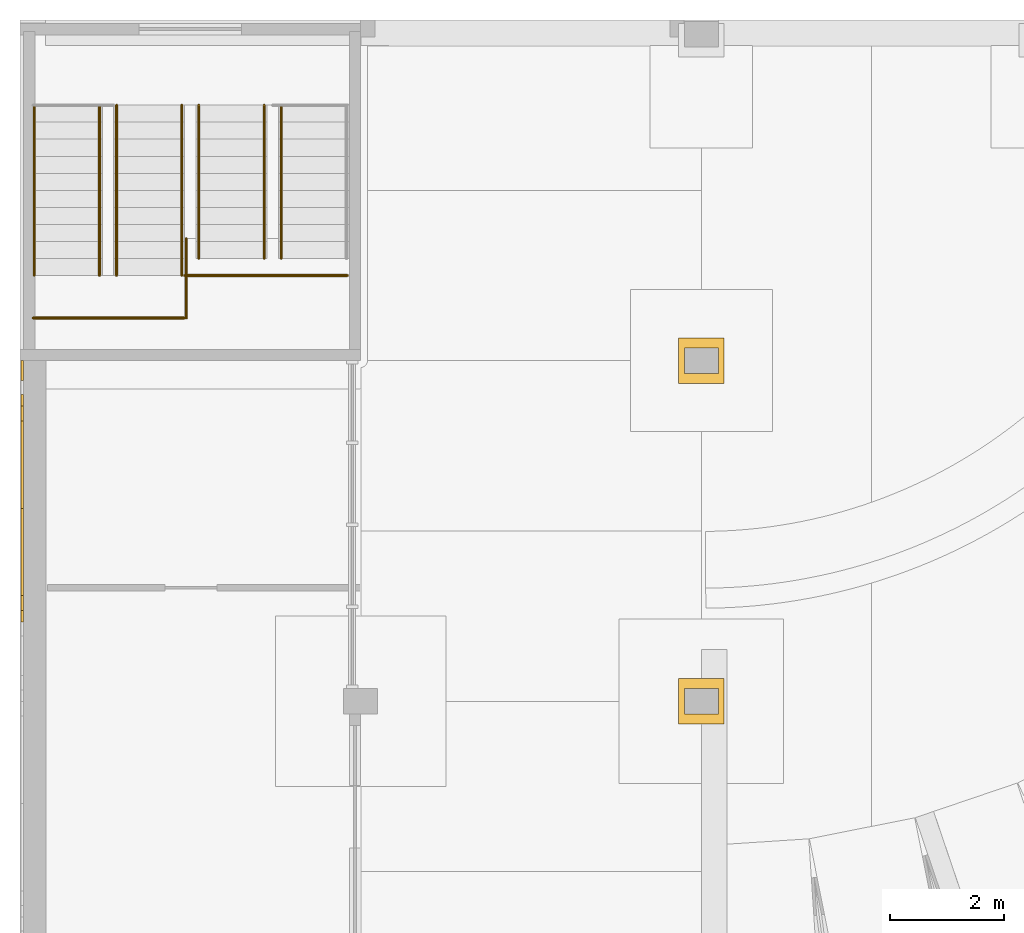
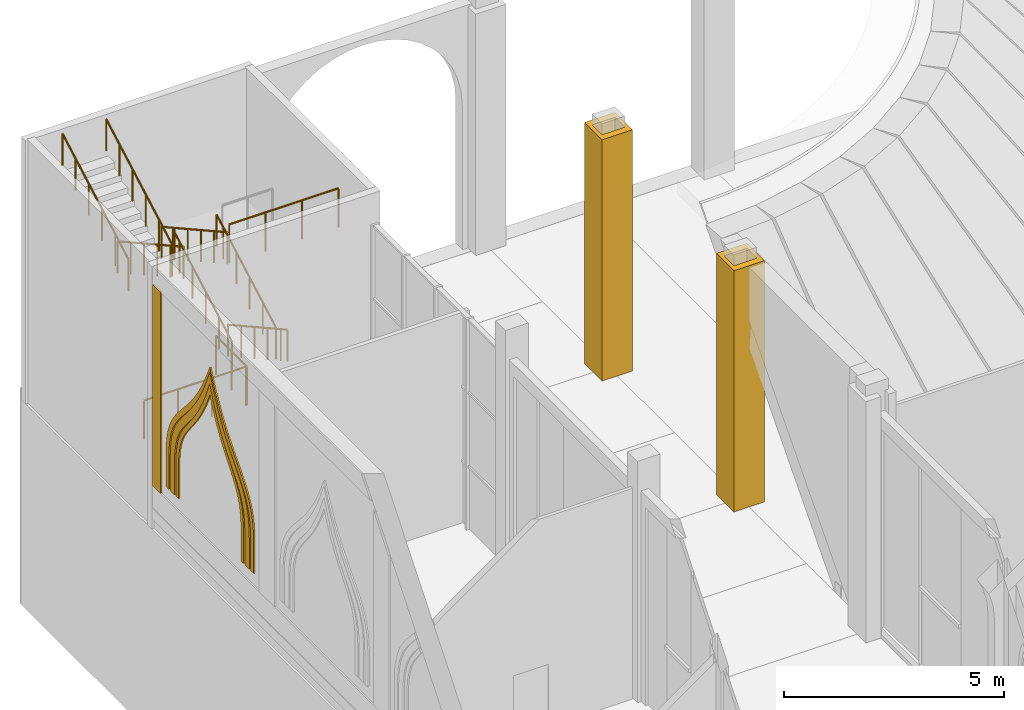
# One storey, part 85 of 95: 10 railings, 6 coverings.
"""IFC4 building model written with IfcOpenShell, lengths in metres."""

from ifc_helpers import new_model, si_unit, direction, frame, origin, origin_2d, place, context, subcontext, project, spatial, polyline, rectangle, circle, outline, extrude, material, layer, layer_set, type_object, element, save


model = new_model("IFC4")

# Units and contexts
model_context = context("Model", 3, precision=1e-05, world=origin(), true_north=direction((0.0, 1.0)))
body_context = subcontext(model_context, "Body", "Model", "MODEL_VIEW")
ifc_project = project(units=[si_unit("LENGTHUNIT", "METRE"), si_unit("AREAUNIT", "SQUARE_METRE"), si_unit("VOLUMEUNIT", "CUBIC_METRE"), si_unit("PLANEANGLEUNIT", "RADIAN"), si_unit("MASSUNIT", "GRAM", prefix="KILO")], contexts=[model_context])

# Site, building, storey
site_placement = place(None, origin())
site = spatial("IfcSite", under=ifc_project, at=site_placement, CompositionType="ELEMENT")
building_placement = place(site_placement, origin())
building = spatial("IfcBuilding", under=site, at=building_placement, Name="Saffron Lane Theatres", CompositionType="ELEMENT")
storey_placement = place(building_placement, origin())
storey = spatial("IfcBuildingStorey", under=building, at=storey_placement, Name="L00", CompositionType="ELEMENT", Elevation=0.0)

# Coverings
ifc_material_1 = material(Name="Face brick cladding, pale buff", Category="masonry")
ifc_layer_1 = layer(ifc_material_1, 0.0400390625)
ifc_layer_set_1 = layer_set([ifc_layer_1], Name="Face brick cladding, pale buff")
covering_type_1 = type_object("IfcCoveringType", Name="EX-FACE BRICK SKIN PALE BUFF 40", PredefinedType="CLADDING", material=ifc_layer_set_1)
covering_1_placement = place(storey_placement, frame((0.0400390625, 119.824951171875, 0.89990234375), z_axis=(0.0, 0.0, 1.0), x_axis=(0.0, 1.0, 0.0)))
element("IfcCovering", 1, at=covering_1_placement, inside=storey, type_object=covering_type_1, Name="Face brick cladding, pale buff L00", PredefinedType="CLADDING", context=body_context, shape_type="SweptSolid", body=[
    extrude(rectangle(XDim=0.35009765625, YDim=0.0400390625, at=origin_2d()), origin(), (0.0, 0.0, 1.0), 5.60009765625),
])
ifc_material_2 = material(Name="Face brick cladding, pale buff", Category="masonry")
ifc_layer_2 = layer(ifc_material_2, 0.0400390625)
ifc_layer_set_2 = layer_set([ifc_layer_2], Name="Face brick cladding, pale buff")
covering_type_2 = type_object("IfcCoveringType", Name="EX-NICHE FRAME RING FACE BRICK PALE BUFF", PredefinedType="CLADDING", material=ifc_layer_set_2)
covering_2_placement = place(storey_placement, frame((0.06005859375, 115.8701171875, 2.39306640625), z_axis=(1.0, 0.0, 0.0), x_axis=(0.0, -0.04129538936, -0.999146981589)))
element("IfcCovering", 2, at=covering_2_placement, inside=storey, type_object=covering_type_2, Name="Court wall niche ring", PredefinedType="CLADDING", context=body_context, shape_type="SweptSolid", body=[
    extrude(outline(polyline([(0.0, 0.0), (0.24239426677237527, 0.0), (1.1425047067288998, 0.03720214519981603), (1.1375545025844256, 0.15697293815880073), (0.23939552157631633, 0.11985144801632847), (0.005091350494825771, 0.11920842065366392), (-0.1986851272816112, 0.1366872076385811), (-0.37824590768884014, 0.17129388292905712), (-0.5396086448833148, 0.2208249405224773), (-0.6873475625745137, 0.28362523044633886), (-0.8265650767376905, 0.3589951684380106), (-0.9630651548072515, 0.4454731274827016), (-1.1002628499429232, 0.5429179612300603), (-1.244867285878143, 0.6481201885567607), (-1.3995113092561424, 0.7597492469161954), (-1.569490859009887, 0.8758758083208059), (-1.7584548387854875, 0.9961047121695207), (-1.9728785218299982, 1.1174804915897334), (-2.215872537641585, 1.238408487901949), (-2.4920111099297273, 1.357233551133665), (-2.668858634535946, 1.4207855560279532), (-2.497909010997991, 1.4999339867365287), (-2.2324773975722345, 1.6401650989069345), (-2.0002911594447137, 1.7807326016823595), (-1.796614762791261, 1.9193887271384757), (-1.6182165955276948, 2.0548009455321563), (-1.4583995829992658, 2.1845582116278646), (-1.3135349853241993, 2.3095435507637765), (-1.1780647346331616, 2.425344049345101), (-1.0493761480472583, 2.533778134655549), (-0.9204778091323481, 2.6312251814989933), (-0.7879445828465366, 2.7175824038572336), (-0.6459019285802418, 2.7926039021651974), (-0.48916677530086616, 2.855037801737101), (-0.3130741623594195, 2.90434386122848), (-0.11144512548476054, 2.9388226687451184), (0.12211298631630009, 2.957516691380624), (1.0202719673244094, 2.994638181523096), (1.0153217631799352, 3.1144089744820804), (0.11521132322341071, 3.0772068292822645), (-0.12639655673986275, 3.058180104535216), (-0.33893197702418154, 3.021540085741156), (-0.5280658733992474, 2.9685184838215317), (-0.6963484702544269, 2.901697736008735), (-0.8481907139879902, 2.8213842331608463), (-0.989527636502527, 2.729287469054249), (-1.1233872450423394, 2.6277257847884465), (-1.2558980944677296, 2.517178930414896), (-1.391328017630095, 2.400402702359364), (-1.5352975408882978, 2.277409149700539), (-1.692227692522776, 2.148748595665054), (-1.8668439244755273, 2.0164248758086845), (-2.0653252010176937, 1.8821374020256454), (-2.2920219772545365, 1.7447289709627067), (-2.551446018406007, 1.6069452971634672), (-2.9825556604936945, 1.4078202555599415), (-2.5364945871509046, 1.2451935946009942), (-2.2665853885447436, 1.129287605106254), (-2.029322799795866, 1.0110549139267975), (-1.820426938974185, 0.8933602509957198), (-1.6354868596814305, 0.7758972254549403), (-1.4685252352898204, 0.6618450727812814), (-1.3148569413860287, 0.5501756868931746), (-1.170252505450809, 0.44497345956647427), (-1.029071237360963, 0.3457384769853879), (-0.8872872694371247, 0.2555693195693939), (-0.7388325381119998, 0.17544983147834714), (-0.5808806737846456, 0.10794031898378244), (-0.40764787278499187, 0.05499027383759442), (-0.2147937618899445, 0.018000831761566083), (0.0, 0.0)])), origin(), (0.0, 0.0, -1.0), 0.0400390625),
])
covering_3_placement = place(storey_placement, frame((0.06005859375, 115.611083984375, 2.4140625), z_axis=(1.0, 0.0, 0.0), x_axis=(0.0, -0.041901657311, -0.999121739887)))
element("IfcCovering", 3, at=covering_3_placement, inside=storey, type_object=covering_type_2, Name="Court wall niche ring", PredefinedType="CLADDING", context=body_context, shape_type="SweptSolid", body=[
    extrude(outline(polyline([(0.0, 0.0), (0.2621931644232471, 0.0), (1.1635004956932669, 0.0377994686925917), (1.1551222102103893, 0.2375750314287612), (0.25796162444282966, 0.19994947098184584), (0.0097131733503435, 0.19955687027559352), (-0.20546838664234832, 0.220588174119385), (-0.3942800006455453, 0.2595859047243426), (-0.5625452079134837, 0.3155727659490775), (-0.7187195864826749, 0.3862393017572159), (-0.8655067844130255, 0.47196083569596253), (-1.0106101413293573, 0.569970749007303), (-1.158461248527375, 0.6810606083728648), (-1.3125757805422222, 0.8016619984562016), (-1.4792651290401886, 0.9307771633223154), (-1.6630820527613535, 1.0662603252837044), (-1.869056932961044, 1.2057013206532305), (-2.1002380515559587, 1.346040046300111), (-2.3631807264184146, 1.4862685163925429), (-2.662417256494882, 1.6237531008309705), (-2.7883895697316157, 1.6734499395071842), (-2.667030939953707, 1.7337638197491785), (-2.380356723153154, 1.8958206163119917), (-2.130078660534657, 2.057572789281071), (-1.9115007748028743, 2.2177511494595397), (-1.717883609943008, 2.3729730109707132), (-1.546056125276706, 2.523371362473049), (-1.3907628818189417, 2.66598999112109), (-1.2472874424807645, 2.799071855305905), (-1.109246806318253, 2.9219072275203026), (-0.9728593214793468, 3.0317224417440243), (-0.8337752358427775, 3.129677340943661), (-0.6840661520540241, 3.2131721673446303), (-0.5210795715372027, 3.283051228429863), (-0.33619623790693, 3.3377211609392994), (-0.1235312325281428, 3.376695703778167), (0.12387836702637517, 3.397090253378639), (1.0210389527939348, 3.4347158138255542), (1.0126606673110572, 3.634491376561724), (0.11135333604103745, 3.5966919078691326), (-0.14991913766980552, 3.574738549326696), (-0.3822603265623494, 3.5329839751984484), (-0.588841271314946, 3.4712951968259307), (-0.7727527647487922, 3.393452274743922), (-0.9401031919113689, 3.299443387738338), (-1.0936882699338235, 3.191839195210626), (-1.238763437801183, 3.0735959100062447), (-1.381559839322582, 2.947628825383432), (-1.5261730705164585, 2.8125444020663783), (-1.6793528172944152, 2.6719692521377945), (-1.8465063757762656, 2.5266540226920897), (-2.0332235889070236, 2.3758755736907067), (-2.24306264212633, 2.222905653462762), (-2.4837984843366385, 2.066685126692431), (-2.7604733180073624, 1.9109122147400561), (-3.28404762037862, 1.65266278920046), (-2.7407398470715005, 1.44037856331384), (-2.4519528155842605, 1.3073428473301651), (-2.198982016795781, 1.1718276316921221), (-1.9770716853471761, 1.0369646288081253), (-1.7784161826455782, 0.9030811953759186), (-1.5996516912906313, 0.7715401809808999), (-1.4352395178213442, 0.6442843566917622), (-1.279823515601926, 0.5217827064442314), (-1.1269711255217127, 0.40797033054243453), (-0.9725151422846359, 0.302533284819994), (-0.8104597097080632, 0.20816657875729266), (-0.6358255960206893, 0.1285000070716038), (-0.4460421418210658, 0.06632928689407458), (-0.23502142185532032, 0.02215409185084432), (0.0, 0.0)])), origin(), (0.0, 0.0, -1.0), 0.0400390625),
])
covering_4_placement = place(storey_placement, frame((0.06005859375, 115.412109375, 2.429931640625), z_axis=(1.0, 0.0, 0.0), x_axis=(0.0, -0.043894383878, -0.999036177055)))
element("IfcCovering", 4, at=covering_4_placement, inside=storey, type_object=covering_type_2, Name="Court wall niche ring", PredefinedType="CLADDING", context=body_context, shape_type="SweptSolid", body=[
    extrude(outline(polyline([(0.0, 0.0), (0.27810007047902646, 1.734723475976807e-18), (1.1793302155515348, 0.03959710654975873), (1.1731790006233722, 0.1795987583147438), (0.2760952459341472, 0.1401838306043209), (0.006786483257329147, 0.1403257157709566), (-0.22641314749484934, 0.1640479725890372), (-0.4326863171370994, 0.20899213523732574), (-0.6175999823434313, 0.27393610519594813), (-0.7874099501285915, 0.3566500134714338), (-0.9488491217383396, 0.45463865294902084), (-1.106074603958273, 0.5679637501060368), (-1.2658621636434073, 0.695105719094375), (-1.4319321070210258, 0.8317467070937297), (-1.611623026395669, 0.9780530326680121), (-1.8075214326298126, 1.1317116675417964), (-2.0274940223340248, 1.2882225800554408), (-2.2747115646249334, 1.4474464569788652), (-2.5551002299821106, 1.605212903187603), (-2.8742805570911356, 1.7615193467450987), (-3.097532365903392, 1.8536152509183335), (-2.8832287530232192, 1.9651802861593193), (-2.5789870907397323, 2.1488778540310727), (-2.3135156574034657, 2.330627608618257), (-2.0812153471334676, 2.5109199324907547), (-1.8758170645761219, 2.6861202506397928), (-1.6941500406148007, 2.8563678762954514), (-1.5279725045579506, 3.0176261550341414), (-1.3745371995083877, 3.1685495353813327), (-1.2265162495638857, 3.309215604089778), (-1.0798357072208025, 3.435893338529879), (-0.9276126416009848, 3.5476632713831058), (-0.7657006623211486, 3.6447075814887944), (-0.5871954056985125, 3.7256189908950867), (-0.3856696022813079, 3.7887248835288343), (-0.15544913137238597, 3.8328083047432724), (0.11280942387767254, 3.856569140609683), (1.0098931785668974, 3.895984068320106), (1.0037526800410486, 4.035741814768427), (0.10252253496854011, 3.9961447082186683), (-0.17451661168141294, 3.9719980818689584), (-0.4197306153957201, 3.9243233799110953), (-0.6369388019590456, 3.8566184360603266), (-0.8303089945593006, 3.7691888821106447), (-1.0058020848195537, 3.664216577573153), (-1.1667388714888274, 3.5449768836510644), (-1.320278339968881, 3.413110267210586), (-1.4720731781522367, 3.2693458722651543), (-1.6264412388591991, 3.117404005042052), (-1.7907103979919947, 2.9572070787885285), (-1.969388831676023, 2.7912451567462337), (-2.1690619834612055, 2.6192288960526935), (-2.3957228941775512, 2.4440718721690033), (-2.655024251717583, 2.2665032291086), (-2.951643122707166, 2.0872949764941735), (-3.4270484487161013, 1.839137391392292), (-2.931721330805677, 1.6338749928162861), (-2.6205281526692272, 1.4813720147680303), (-2.3466524879823294, 1.3272294271657514), (-2.105503001337628, 1.172626462920069), (-1.891512736061112, 1.0187852205508565), (-1.6989672777829326, 0.8691336628302754), (-1.5212704665508547, 0.7237172273041369), (-1.3541713198950118, 0.585899578330719), (-1.190395543924747, 0.4569778292460929), (-1.0258396138660324, 0.3381097801562494), (-0.8550758862749375, 0.2336882986976911), (-0.6710525397728421, 0.14451197117084771), (-0.4707595512778254, 0.07437869055575572), (-0.24845035721309666, 0.02598470367458538), (0.0, 0.0)])), origin(), (0.0, 0.0, -1.0), 0.0400390625),
])
ifc_material_3 = material(Name="Face brick cladding, pale buff", Category="masonry")
ifc_layer_3 = layer(ifc_material_3, 0.10009765625)
ifc_layer_set_3 = layer_set([ifc_layer_3], Name="Face brick cladding, pale buff")
covering_type_3 = type_object("IfcCoveringType", Name="EX-PIER CASING FACE BRICK PALE BUFF 800", PredefinedType="CLADDING", material=ifc_layer_set_3)
covering_5_placement = place(storey_placement, origin())
element("IfcCovering", 5, at=covering_5_placement, inside=storey, type_object=covering_type_3, Name="Pier casing L00 5", PredefinedType="CLADDING", context=body_context, shape_type="SweptSolid", body=[
    extrude(outline(polyline([(12.39990234375, 114.39990234375), (11.60009765625, 114.39990234375), (11.60009765625, 113.60009765625), (12.39990234375, 113.60009765625), (12.39990234375, 114.39990234375)]), holes=[polyline([(11.699951171875, 114.22509765625), (12.300048828125, 114.22509765625), (12.300048828125, 113.77490234375), (11.699951171875, 113.77490234375), (11.699951171875, 114.22509765625)])]), origin(), (0.0, 0.0, 1.0), 6.699951171875),
])
covering_6_placement = place(storey_placement, origin())
element("IfcCovering", 6, at=covering_6_placement, inside=storey, type_object=covering_type_3, Name="Pier casing L00 11", PredefinedType="CLADDING", context=body_context, shape_type="SweptSolid", body=[
    extrude(outline(polyline([(12.39990234375, 120.39990234375), (11.60009765625, 120.39990234375), (11.60009765625, 119.60009765625), (12.39990234375, 119.60009765625), (12.39990234375, 120.39990234375)]), holes=[polyline([(11.699951171875, 120.22509765625), (12.300048828125, 120.22509765625), (12.300048828125, 119.77490234375), (11.699951171875, 119.77490234375), (11.699951171875, 120.22509765625)])]), origin(), (0.0, 0.0, 1.0), 6.699951171875),
])

# Railings
ifc_material_4 = material(Name="Steel Grade 350", Category="steel")
railing_type_1 = type_object("IfcRailingType", Name="VC-GUARD 1100", PredefinedType="GUARDRAIL", material=ifc_material_4)
railing_1_placement = place(storey_placement, frame((2.89990234375, 120.75, 1.666748046875)))
element("IfcRailing", 7, at=railing_1_placement, inside=storey, type_object=railing_type_1, Name="West Wing Street Stair landing guard 1N1s", PredefinedType="GUARDRAIL", context=body_context, shape_type="SweptSolid", body=[
    extrude(circle(Radius=0.02392578125, at=origin_2d()), frame((0.0, 0.0, 1.076171875), z_axis=(-1.0, 0.0, 0.0), x_axis=(0.0, -1.0, 0.0)), (0.0, 0.0, 1.0), 2.669921875),
    extrude(circle(Radius=0.02099609375, at=origin_2d()), origin(), (0.0, 0.0, 1.0), 1.052001953125),
    extrude(circle(Radius=0.02099609375, at=origin_2d()), frame((-0.889892578125, 0.0, 0.0)), (0.0, 0.0, 1.0), 1.052001953125),
    extrude(circle(Radius=0.02099609375, at=origin_2d()), frame((-1.780029296875, 0.0, 0.0)), (0.0, 0.0, 1.0), 1.052001953125),
    extrude(circle(Radius=0.02099609375, at=origin_2d()), frame((-2.669921875, 0.0, 0.0)), (0.0, 0.0, 1.0), 1.052001953125),
])
railing_2_placement = place(storey_placement, frame((2.929931640625, 122.14990234375, 1.666748046875)))
element("IfcRailing", 8, at=railing_2_placement, inside=storey, type_object=railing_type_1, Name="West Wing Street Stair landing guard 1N1e", PredefinedType="GUARDRAIL", context=body_context, shape_type="SweptSolid", body=[
    extrude(circle(Radius=0.02392578125, at=origin_2d()), frame((0.0, 0.0, 1.076171875), z_axis=(0.0, -1.0, 0.0), x_axis=(1.0, 0.0, 0.0)), (0.0, 0.0, 1.0), 1.39990234375),
    extrude(circle(Radius=0.02099609375, at=origin_2d()), origin(), (0.0, 0.0, 1.0), 1.052001953125),
    extrude(circle(Radius=0.02099609375, at=origin_2d()), frame((0.0, -0.699951171875, 0.0)), (0.0, 0.0, 1.0), 1.052001953125),
    extrude(circle(Radius=0.02099609375, at=origin_2d()), frame((0.0, -1.39990234375, 0.0)), (0.0, 0.0, 1.0), 1.052001953125),
])
railing_3_placement = place(storey_placement, frame((5.77001953125, 121.5, 5.166748046875)))
element("IfcRailing", 9, at=railing_3_placement, inside=storey, type_object=railing_type_1, Name="West Wing Street Stair landing guard 1N2s", PredefinedType="GUARDRAIL", context=body_context, shape_type="SweptSolid", body=[
    extrude(circle(Radius=0.02392578125, at=origin_2d()), frame((0.0, 0.0, 1.076171875), z_axis=(-1.0, 0.0, 0.0), x_axis=(0.0, -1.0, 0.0)), (0.0, 0.0, 1.0), 2.8701171875),
    extrude(circle(Radius=0.02099609375, at=origin_2d()), origin(), (0.0, 0.0, 1.0), 1.052001953125),
    extrude(circle(Radius=0.02099609375, at=origin_2d()), frame((-0.956787109375, 0.0, 0.0)), (0.0, 0.0, 1.0), 1.052001953125),
    extrude(circle(Radius=0.02099609375, at=origin_2d()), frame((-1.913330078125, 0.0, 0.0)), (0.0, 0.0, 1.0), 1.052001953125),
    extrude(circle(Radius=0.02099609375, at=origin_2d()), frame((-2.8701171875, 0.0, 0.0)), (0.0, 0.0, 1.0), 1.052001953125),
])
ifc_material_5 = material(Name="Steel Grade 350", Category="steel")
railing_type_2 = type_object("IfcRailingType", Name="VC-HANDRAIL 900", PredefinedType="HANDRAIL", material=ifc_material_5)
railing_4_placement = place(storey_placement, frame((4.60009765625, 124.5, 0.166748046875)))
element("IfcRailing", 10, at=railing_4_placement, inside=storey, type_object=railing_type_2, Name="West Wing Street Stair handrail 1.1b", PredefinedType="HANDRAIL", context=body_context, shape_type="SweptSolid", body=[
    extrude(circle(Radius=0.02392578125, at=origin_2d()), frame((0.0, 0.0, 0.8759765625), z_axis=(0.0, -0.874241147926, 0.485491931212), x_axis=(1.0, 0.0, 0.0)), (0.0, 0.0, 1.0), 0.6865234375),
    extrude(circle(Radius=0.02392578125, at=origin_2d()), frame((0.0, -0.60009765625, 1.208984375), z_axis=(0.0, -0.874157276122, 0.485642931179), x_axis=(1.0, 0.0, 0.0)), (0.0, 0.0, 1.0), 0.686279296875),
    extrude(circle(Radius=0.02392578125, at=origin_2d()), frame((0.0, -1.199951171875, 1.54248046875), z_axis=(0.0, -0.874090171491, 0.485763699861), x_axis=(1.0, 0.0, 0.0)), (0.0, 0.0, 1.0), 0.6865234375),
    extrude(circle(Radius=0.02392578125, at=origin_2d()), frame((0.0, -1.800048828125, 1.8759765625), z_axis=(0.0, -0.874157276122, 0.485642931179), x_axis=(1.0, 0.0, 0.0)), (0.0, 0.0, 1.0), 0.686279296875),
    extrude(circle(Radius=0.02392578125, at=origin_2d()), frame((0.0, -2.39990234375, 2.208984375), z_axis=(0.0, -0.874090171491, 0.485763699861), x_axis=(1.0, 0.0, 0.0)), (0.0, 0.0, 1.0), 0.34326171875),
    extrude(circle(Radius=0.02099609375, at=origin_2d()), origin(), (0.0, 0.0, 1.0), 0.851806640625),
    extrude(circle(Radius=0.02099609375, at=origin_2d()), frame((0.0, -0.60009765625, 0.333251953125)), (0.0, 0.0, 1.0), 0.851806640625),
    extrude(circle(Radius=0.02099609375, at=origin_2d()), frame((0.0, -1.199951171875, 0.66650390625)), (0.0, 0.0, 1.0), 0.851806640625),
    extrude(circle(Radius=0.02099609375, at=origin_2d()), frame((0.0, -1.800048828125, 1.0)), (0.0, 0.0, 1.0), 0.851806640625),
    extrude(circle(Radius=0.02099609375, at=origin_2d()), frame((0.0, -2.39990234375, 1.333251953125)), (0.0, 0.0, 1.0), 0.851806640625),
    extrude(circle(Radius=0.02099609375, at=origin_2d()), frame((0.0, -2.699951171875, 1.5)), (0.0, 0.0, 1.0), 0.851806640625),
])
railing_5_placement = place(storey_placement, frame((4.300048828125, 121.800048828125, 1.833251953125)))
element("IfcRailing", 11, at=railing_5_placement, inside=storey, type_object=railing_type_2, Name="West Wing Street Stair handrail 1.2a", PredefinedType="HANDRAIL", context=body_context, shape_type="SweptSolid", body=[
    extrude(circle(Radius=0.02392578125, at=origin_2d()), frame((0.0, 0.0, 0.8759765625), z_axis=(0.0, 0.874006220275, 0.485914732151), x_axis=(-1.0, 0.0, 0.0)), (0.0, 0.0, 1.0), 0.686279296875),
    extrude(circle(Radius=0.02392578125, at=origin_2d()), frame((0.0, 0.599853515625, 1.20947265625), z_axis=(0.0, 0.874241147926, 0.485491931212), x_axis=(-1.0, 0.0, 0.0)), (0.0, 0.0, 1.0), 0.6865234375),
    extrude(circle(Radius=0.02392578125, at=origin_2d()), frame((0.0, 1.199951171875, 1.54248046875), z_axis=(0.0, 0.874241147926, 0.485491931212), x_axis=(-1.0, 0.0, 0.0)), (0.0, 0.0, 1.0), 0.6865234375),
    extrude(circle(Radius=0.02392578125, at=origin_2d()), frame((0.0, 1.800048828125, 1.8759765625), z_axis=(0.0, 0.874006220275, 0.485914732151), x_axis=(-1.0, 0.0, 0.0)), (0.0, 0.0, 1.0), 0.686279296875),
    extrude(circle(Radius=0.02392578125, at=origin_2d()), frame((0.0, 2.39990234375, 2.20947265625), z_axis=(0.0, 0.87439209197, 0.485220021744), x_axis=(-1.0, 0.0, 0.0)), (0.0, 0.0, 1.0), 0.34326171875),
    extrude(circle(Radius=0.02099609375, at=origin_2d()), origin(), (0.0, 0.0, 1.0), 0.851806640625),
    extrude(circle(Radius=0.02099609375, at=origin_2d()), frame((0.0, 0.599853515625, 0.33349609375)), (0.0, 0.0, 1.0), 0.851806640625),
    extrude(circle(Radius=0.02099609375, at=origin_2d()), frame((0.0, 1.199951171875, 0.666748046875)), (0.0, 0.0, 1.0), 0.851806640625),
    extrude(circle(Radius=0.02099609375, at=origin_2d()), frame((0.0, 1.800048828125, 1.0)), (0.0, 0.0, 1.0), 0.851806640625),
    extrude(circle(Radius=0.02099609375, at=origin_2d()), frame((0.0, 2.39990234375, 1.33349609375)), (0.0, 0.0, 1.0), 0.851806640625),
    extrude(circle(Radius=0.02099609375, at=origin_2d()), frame((0.0, 2.699951171875, 1.5)), (0.0, 0.0, 1.0), 0.851806640625),
])
railing_6_placement = place(storey_placement, frame((3.14990234375, 121.800048828125, 1.833251953125)))
element("IfcRailing", 12, at=railing_6_placement, inside=storey, type_object=railing_type_2, Name="West Wing Street Stair handrail 1.2b", PredefinedType="HANDRAIL", context=body_context, shape_type="SweptSolid", body=[
    extrude(circle(Radius=0.02392578125, at=origin_2d()), frame((0.0, 0.0, 0.8759765625), z_axis=(0.0, 0.874006220275, 0.485914732151), x_axis=(-1.0, 0.0, 0.0)), (0.0, 0.0, 1.0), 0.686279296875),
    extrude(circle(Radius=0.02392578125, at=origin_2d()), frame((0.0, 0.599853515625, 1.20947265625), z_axis=(0.0, 0.874241147926, 0.485491931212), x_axis=(-1.0, 0.0, 0.0)), (0.0, 0.0, 1.0), 0.6865234375),
    extrude(circle(Radius=0.02392578125, at=origin_2d()), frame((0.0, 1.199951171875, 1.54248046875), z_axis=(0.0, 0.874241147926, 0.485491931212), x_axis=(-1.0, 0.0, 0.0)), (0.0, 0.0, 1.0), 0.6865234375),
    extrude(circle(Radius=0.02392578125, at=origin_2d()), frame((0.0, 1.800048828125, 1.8759765625), z_axis=(0.0, 0.874006220275, 0.485914732151), x_axis=(-1.0, 0.0, 0.0)), (0.0, 0.0, 1.0), 0.686279296875),
    extrude(circle(Radius=0.02392578125, at=origin_2d()), frame((0.0, 2.39990234375, 2.20947265625), z_axis=(0.0, 0.87439209197, 0.485220021744), x_axis=(-1.0, 0.0, 0.0)), (0.0, 0.0, 1.0), 0.34326171875),
    extrude(circle(Radius=0.02099609375, at=origin_2d()), origin(), (0.0, 0.0, 1.0), 0.851806640625),
    extrude(circle(Radius=0.02099609375, at=origin_2d()), frame((0.0, 0.599853515625, 0.33349609375)), (0.0, 0.0, 1.0), 0.851806640625),
    extrude(circle(Radius=0.02099609375, at=origin_2d()), frame((0.0, 1.199951171875, 0.666748046875)), (0.0, 0.0, 1.0), 0.851806640625),
    extrude(circle(Radius=0.02099609375, at=origin_2d()), frame((0.0, 1.800048828125, 1.0)), (0.0, 0.0, 1.0), 0.851806640625),
    extrude(circle(Radius=0.02099609375, at=origin_2d()), frame((0.0, 2.39990234375, 1.33349609375)), (0.0, 0.0, 1.0), 0.851806640625),
    extrude(circle(Radius=0.02099609375, at=origin_2d()), frame((0.0, 2.699951171875, 1.5)), (0.0, 0.0, 1.0), 0.851806640625),
])
railing_7_placement = place(storey_placement, frame((2.85009765625, 124.5, 3.5)))
element("IfcRailing", 13, at=railing_7_placement, inside=storey, type_object=railing_type_2, Name="West Wing Street Stair handrail 1.3a", PredefinedType="HANDRAIL", context=body_context, shape_type="SweptSolid", body=[
    extrude(circle(Radius=0.02392578125, at=origin_2d()), frame((0.0, 0.0, 0.8759765625), z_axis=(0.0, -0.874241147926, 0.485491931212), x_axis=(1.0, 0.0, 0.0)), (0.0, 0.0, 1.0), 0.6865234375),
    extrude(circle(Radius=0.02392578125, at=origin_2d()), frame((0.0, -0.60009765625, 1.208984375), z_axis=(0.0, -0.874006220275, 0.485914732151), x_axis=(1.0, 0.0, 0.0)), (0.0, 0.0, 1.0), 0.686279296875),
    extrude(circle(Radius=0.02392578125, at=origin_2d()), frame((0.0, -1.199951171875, 1.54248046875), z_axis=(0.0, -0.874241147926, 0.485491931212), x_axis=(1.0, 0.0, 0.0)), (0.0, 0.0, 1.0), 0.6865234375),
    extrude(circle(Radius=0.02392578125, at=origin_2d()), frame((0.0, -1.800048828125, 1.8759765625), z_axis=(0.0, -0.874157276122, 0.485642931179), x_axis=(1.0, 0.0, 0.0)), (0.0, 0.0, 1.0), 0.686279296875),
    extrude(circle(Radius=0.02392578125, at=origin_2d()), frame((0.0, -2.39990234375, 2.208984375), z_axis=(0.0, -0.874090171491, 0.485763699861), x_axis=(1.0, 0.0, 0.0)), (0.0, 0.0, 1.0), 0.6865234375),
    extrude(circle(Radius=0.02099609375, at=origin_2d()), origin(), (0.0, 0.0, 1.0), 0.851806640625),
    extrude(circle(Radius=0.02099609375, at=origin_2d()), frame((0.0, -0.60009765625, 0.333251953125)), (0.0, 0.0, 1.0), 0.851806640625),
    extrude(circle(Radius=0.02099609375, at=origin_2d()), frame((0.0, -1.199951171875, 0.666748046875)), (0.0, 0.0, 1.0), 0.851806640625),
    extrude(circle(Radius=0.02099609375, at=origin_2d()), frame((0.0, -1.800048828125, 1.0)), (0.0, 0.0, 1.0), 0.851806640625),
    extrude(circle(Radius=0.02099609375, at=origin_2d()), frame((0.0, -2.39990234375, 1.333251953125)), (0.0, 0.0, 1.0), 0.851806640625),
    extrude(circle(Radius=0.02099609375, at=origin_2d()), frame((0.0, -3.0, 1.666748046875)), (0.0, 0.0, 1.0), 0.851806640625),
])
railing_8_placement = place(storey_placement, frame((1.699951171875, 124.5, 3.5)))
element("IfcRailing", 14, at=railing_8_placement, inside=storey, type_object=railing_type_2, Name="West Wing Street Stair handrail 1.3b", PredefinedType="HANDRAIL", context=body_context, shape_type="SweptSolid", body=[
    extrude(circle(Radius=0.02392578125, at=origin_2d()), frame((0.0, 0.0, 0.8759765625), z_axis=(0.0, -0.874241147926, 0.485491931212), x_axis=(1.0, 0.0, 0.0)), (0.0, 0.0, 1.0), 0.6865234375),
    extrude(circle(Radius=0.02392578125, at=origin_2d()), frame((0.0, -0.60009765625, 1.208984375), z_axis=(0.0, -0.874006220275, 0.485914732151), x_axis=(1.0, 0.0, 0.0)), (0.0, 0.0, 1.0), 0.686279296875),
    extrude(circle(Radius=0.02392578125, at=origin_2d()), frame((0.0, -1.199951171875, 1.54248046875), z_axis=(0.0, -0.874241147926, 0.485491931212), x_axis=(1.0, 0.0, 0.0)), (0.0, 0.0, 1.0), 0.6865234375),
    extrude(circle(Radius=0.02392578125, at=origin_2d()), frame((0.0, -1.800048828125, 1.8759765625), z_axis=(0.0, -0.874157276122, 0.485642931179), x_axis=(1.0, 0.0, 0.0)), (0.0, 0.0, 1.0), 0.686279296875),
    extrude(circle(Radius=0.02392578125, at=origin_2d()), frame((0.0, -2.39990234375, 2.208984375), z_axis=(0.0, -0.874090171491, 0.485763699861), x_axis=(1.0, 0.0, 0.0)), (0.0, 0.0, 1.0), 0.6865234375),
    extrude(circle(Radius=0.02099609375, at=origin_2d()), origin(), (0.0, 0.0, 1.0), 0.851806640625),
    extrude(circle(Radius=0.02099609375, at=origin_2d()), frame((0.0, -0.60009765625, 0.333251953125)), (0.0, 0.0, 1.0), 0.851806640625),
    extrude(circle(Radius=0.02099609375, at=origin_2d()), frame((0.0, -1.199951171875, 0.666748046875)), (0.0, 0.0, 1.0), 0.851806640625),
    extrude(circle(Radius=0.02099609375, at=origin_2d()), frame((0.0, -1.800048828125, 1.0)), (0.0, 0.0, 1.0), 0.851806640625),
    extrude(circle(Radius=0.02099609375, at=origin_2d()), frame((0.0, -2.39990234375, 1.333251953125)), (0.0, 0.0, 1.0), 0.851806640625),
    extrude(circle(Radius=0.02099609375, at=origin_2d()), frame((0.0, -3.0, 1.666748046875)), (0.0, 0.0, 1.0), 0.851806640625),
])
railing_9_placement = place(storey_placement, frame((1.39990234375, 121.5, 5.333251953125)))
element("IfcRailing", 15, at=railing_9_placement, inside=storey, type_object=railing_type_2, Name="West Wing Street Stair handrail 1.4a", PredefinedType="HANDRAIL", context=body_context, shape_type="SweptSolid", body=[
    extrude(circle(Radius=0.02392578125, at=origin_2d()), frame((0.0, 0.0, 0.8759765625), z_axis=(0.0, 0.874090171491, 0.485763699861), x_axis=(-1.0, 0.0, 0.0)), (0.0, 0.0, 1.0), 0.6865234375),
    extrude(circle(Radius=0.02392578125, at=origin_2d()), frame((0.0, 0.60009765625, 1.20947265625), z_axis=(0.0, 0.874157276122, 0.485642931179), x_axis=(-1.0, 0.0, 0.0)), (0.0, 0.0, 1.0), 0.686279296875),
    extrude(circle(Radius=0.02392578125, at=origin_2d()), frame((0.0, 1.199951171875, 1.54248046875), z_axis=(0.0, 0.874241147926, 0.485491931212), x_axis=(-1.0, 0.0, 0.0)), (0.0, 0.0, 1.0), 0.6865234375),
    extrude(circle(Radius=0.02392578125, at=origin_2d()), frame((0.0, 1.800048828125, 1.8759765625), z_axis=(0.0, 0.874006220275, 0.485914732151), x_axis=(-1.0, 0.0, 0.0)), (0.0, 0.0, 1.0), 0.686279296875),
    extrude(circle(Radius=0.02392578125, at=origin_2d()), frame((0.0, 2.39990234375, 2.20947265625), z_axis=(0.0, 0.874241147926, 0.485491931212), x_axis=(-1.0, 0.0, 0.0)), (0.0, 0.0, 1.0), 0.6865234375),
    extrude(circle(Radius=0.02099609375, at=origin_2d()), origin(), (0.0, 0.0, 1.0), 0.851806640625),
    extrude(circle(Radius=0.02099609375, at=origin_2d()), frame((0.0, 0.60009765625, 0.33349609375)), (0.0, 0.0, 1.0), 0.851806640625),
    extrude(circle(Radius=0.02099609375, at=origin_2d()), frame((0.0, 1.199951171875, 0.666748046875)), (0.0, 0.0, 1.0), 0.851806640625),
    extrude(circle(Radius=0.02099609375, at=origin_2d()), frame((0.0, 1.800048828125, 1.0)), (0.0, 0.0, 1.0), 0.851806640625),
    extrude(circle(Radius=0.02099609375, at=origin_2d()), frame((0.0, 2.39990234375, 1.33349609375)), (0.0, 0.0, 1.0), 0.851806640625),
    extrude(circle(Radius=0.02099609375, at=origin_2d()), frame((0.0, 3.0, 1.666748046875)), (0.0, 0.0, 1.0), 0.851806640625),
])
railing_10_placement = place(storey_placement, frame((0.25, 121.5, 5.333251953125)))
element("IfcRailing", 16, at=railing_10_placement, inside=storey, type_object=railing_type_2, Name="West Wing Street Stair handrail 1.4b", PredefinedType="HANDRAIL", context=body_context, shape_type="SweptSolid", body=[
    extrude(circle(Radius=0.02392578125, at=origin_2d()), frame((0.0, 0.0, 0.8759765625), z_axis=(0.0, 0.874090171491, 0.485763699861), x_axis=(-1.0, 0.0, 0.0)), (0.0, 0.0, 1.0), 0.6865234375),
    extrude(circle(Radius=0.02392578125, at=origin_2d()), frame((0.0, 0.60009765625, 1.20947265625), z_axis=(0.0, 0.874157276122, 0.485642931179), x_axis=(-1.0, 0.0, 0.0)), (0.0, 0.0, 1.0), 0.686279296875),
    extrude(circle(Radius=0.02392578125, at=origin_2d()), frame((0.0, 1.199951171875, 1.54248046875), z_axis=(0.0, 0.874241147926, 0.485491931212), x_axis=(-1.0, 0.0, 0.0)), (0.0, 0.0, 1.0), 0.6865234375),
    extrude(circle(Radius=0.02392578125, at=origin_2d()), frame((0.0, 1.800048828125, 1.8759765625), z_axis=(0.0, 0.874006220275, 0.485914732151), x_axis=(-1.0, 0.0, 0.0)), (0.0, 0.0, 1.0), 0.686279296875),
    extrude(circle(Radius=0.02392578125, at=origin_2d()), frame((0.0, 2.39990234375, 2.20947265625), z_axis=(0.0, 0.874241147926, 0.485491931212), x_axis=(-1.0, 0.0, 0.0)), (0.0, 0.0, 1.0), 0.6865234375),
    extrude(circle(Radius=0.02099609375, at=origin_2d()), origin(), (0.0, 0.0, 1.0), 0.851806640625),
    extrude(circle(Radius=0.02099609375, at=origin_2d()), frame((0.0, 0.60009765625, 0.33349609375)), (0.0, 0.0, 1.0), 0.851806640625),
    extrude(circle(Radius=0.02099609375, at=origin_2d()), frame((0.0, 1.199951171875, 0.666748046875)), (0.0, 0.0, 1.0), 0.851806640625),
    extrude(circle(Radius=0.02099609375, at=origin_2d()), frame((0.0, 1.800048828125, 1.0)), (0.0, 0.0, 1.0), 0.851806640625),
    extrude(circle(Radius=0.02099609375, at=origin_2d()), frame((0.0, 2.39990234375, 1.33349609375)), (0.0, 0.0, 1.0), 0.851806640625),
    extrude(circle(Radius=0.02099609375, at=origin_2d()), frame((0.0, 3.0, 1.666748046875)), (0.0, 0.0, 1.0), 0.851806640625),
])

save(model, "model.ifc")
